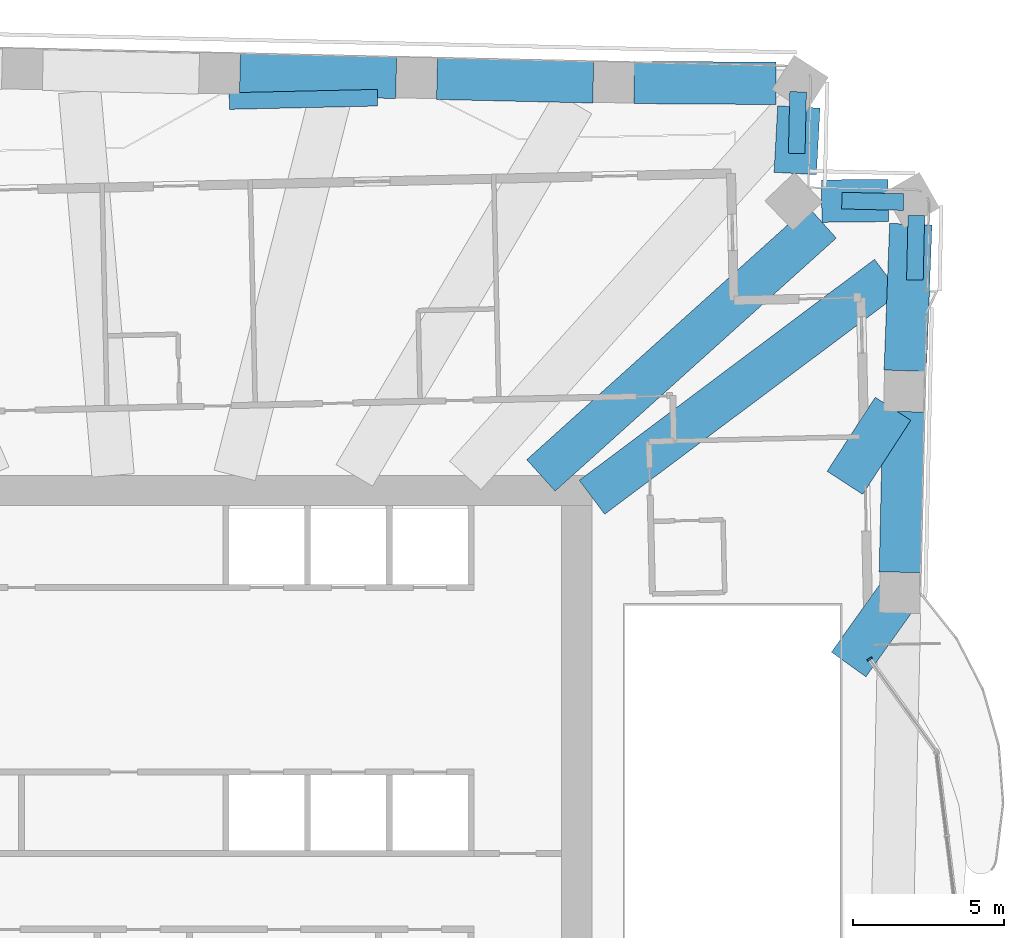
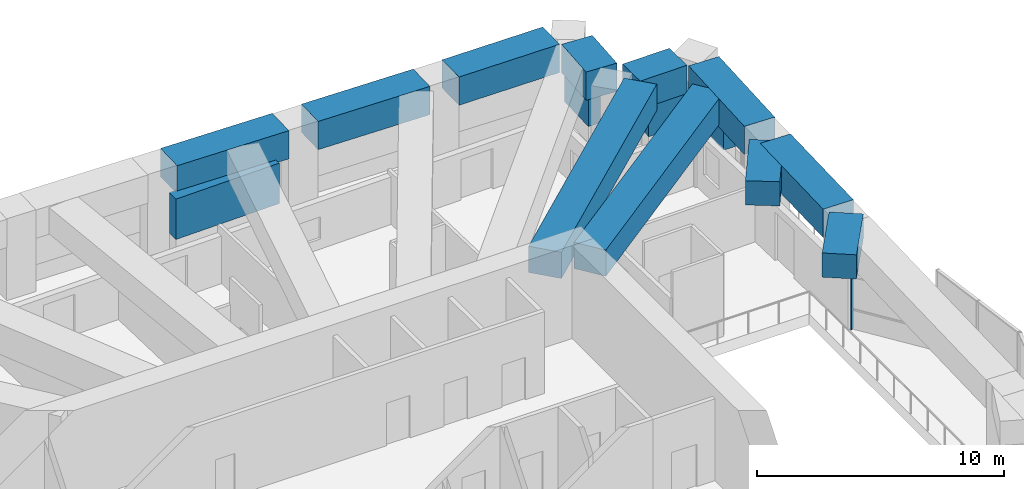
# One storey, part 7 of 21: 11 beams, 5 members, 1 element without a shape of its own.
"""IFC4 building model written with IfcOpenShell, lengths in metres."""

from ifc_helpers import new_model, si_unit, direction, frame, origin, origin_2d, place, context, subcontext, project, spatial, rectangle, extrude, material, material_profile, profile_set, type_object, element, aggregate, save


model = new_model("IFC4")

# Units and contexts
model_context = context("Model", 3, precision=1e-05, world=origin(), true_north=direction((0.0, 1.0)))
body_context = subcontext(model_context, "Body", "Model", "MODEL_VIEW")
ifc_project = project(units=[si_unit("LENGTHUNIT", "METRE"), si_unit("AREAUNIT", "SQUARE_METRE"), si_unit("VOLUMEUNIT", "CUBIC_METRE"), si_unit("PLANEANGLEUNIT", "RADIAN"), si_unit("MASSUNIT", "GRAM", prefix="KILO")], contexts=[model_context])

# Site, building, storey
site_placement = place(None, origin())
site = spatial("IfcSite", under=ifc_project, at=site_placement, CompositionType="ELEMENT")
building_placement = place(site_placement, origin())
building = spatial("IfcBuilding", under=site, at=building_placement, Name="Mangrove Gate Tower", CompositionType="ELEMENT")
storey_placement = place(building_placement, frame((0.0, 0.0, 125.5)))
storey = spatial("IfcBuildingStorey", under=building, at=storey_placement, Name="L31", CompositionType="ELEMENT", Elevation=125.5)

# Members
ifc_material_1 = material(Name="Planting on aluminium trellis", Category="aluminium")
ifc_material_profile_1 = material_profile(ifc_material_1, rectangle(XDim=0.550048828125, YDim=2.0, at=origin_2d()))
ifc_profile_set_1 = profile_set([ifc_material_profile_1], Name="Planting on aluminium trellis")
member_type_1 = type_object("IfcMemberType", Name="Balcony greenery screen 550x2000", PredefinedType="USERDEFINED", material=ifc_profile_set_1)
member_1_placement = place(storey_placement, frame((2.81494140625, 24.172119140625, 1.800048828125), z_axis=(0.999744043306, 0.022624055212, 0.0), x_axis=(-0.022624055212, 0.999744043306, 0.0)))
element("IfcMember", 1, at=member_1_placement, inside=storey, type_object=member_type_1, Name="GREEN SCREEN L31 N0.1", ObjectType="PLANTING", PredefinedType="USERDEFINED", context=body_context, shape_type="SweptSolid", body=[
    extrude(rectangle(XDim=0.550048828125, YDim=2.0, at=origin_2d()), origin(), (0.0, 0.0, 1.0), 4.899169921875),
])
ifc_material_2 = material(Name="Planting on aluminium trellis", Category="aluminium")
ifc_material_profile_2 = material_profile(ifc_material_2, rectangle(XDim=0.550048828125, YDim=1.800048828125, at=origin_2d()))
ifc_profile_set_2 = profile_set([ifc_material_profile_2], Name="Planting on aluminium trellis")
member_type_2 = type_object("IfcMemberType", Name="Roof greenery screen 550x1800", PredefinedType="USERDEFINED", material=ifc_profile_set_2)
member_2_placement = place(storey_placement, frame((21.613037109375, 24.47900390625, 1.699951171875), z_axis=(-0.022645198192, -0.99974356462, 0.0), x_axis=(0.99974356462, -0.022645198192, 0.0)))
element("IfcMember", 2, at=member_2_placement, inside=storey, type_object=member_type_2, Name="GREEN SCREEN L31 T1.4.6", ObjectType="PLANTING", PredefinedType="USERDEFINED", context=body_context, shape_type="SweptSolid", body=[
    extrude(rectangle(XDim=0.550048828125, YDim=1.800048828125, at=origin_2d()), origin(), (0.0, 0.0, 1.0), 2.03759765625),
])
member_3_placement = place(storey_placement, frame((23.05908203125, 20.881103515625, 1.699951171875), z_axis=(0.99973253567, -0.023126978231, 0.0), x_axis=(0.023126978231, 0.99973253567, 0.0)))
element("IfcMember", 3, at=member_3_placement, inside=storey, type_object=member_type_2, Name="GREEN SCREEN L31 T1.4.9", ObjectType="PLANTING", PredefinedType="USERDEFINED", context=body_context, shape_type="SweptSolid", body=[
    extrude(rectangle(XDim=0.550048828125, YDim=1.800048828125, at=origin_2d()), origin(), (0.0, 0.0, 1.0), 2.037353515625),
])
member_4_placement = place(storey_placement, frame((25.52099609375, 20.389892578125, 1.699951171875), z_axis=(-0.022554956952, -0.9997456046, 0.0), x_axis=(0.9997456046, -0.022554956952, 0.0)))
element("IfcMember", 4, at=member_4_placement, inside=storey, type_object=member_type_2, Name="GREEN SCREEN L31 T1.5.6", ObjectType="PLANTING", PredefinedType="USERDEFINED", context=body_context, shape_type="SweptSolid", body=[
    extrude(rectangle(XDim=0.550048828125, YDim=1.800048828125, at=origin_2d()), origin(), (0.0, 0.0, 1.0), 2.13232421875),
])

# Curtain wall, member
ifc_material_3 = material(Name="Aluminium and glass curtain wall", Category="aluminium")
curtain_wall_type = type_object("IfcCurtainWallType", Name="Sky-lounge glazing wall", PredefinedType="NOTDEFINED", material=ifc_material_3)
curtain_wall_placement = place(storey_placement, origin())
curtain_wall = element("IfcCurtainWall", 5, at=curtain_wall_placement, inside=storey, type_object=curtain_wall_type, Name="Sky-lounge glazing E1f5", PredefinedType="NOTDEFINED")
ifc_material_4 = material(Name="Aluminium alloy 6063-T6", Category="aluminium")
ifc_material_profile_3 = material_profile(ifc_material_4, rectangle(XDim=0.06005859375, YDim=0.179931640625, at=origin_2d()))
ifc_profile_set_3 = profile_set([ifc_material_profile_3], Name="Aluminium alloy 6063-T6")
member_type_3 = type_object("IfcMemberType", Name="Sky-lounge glazing mullion 60x180", PredefinedType="MULLION", material=ifc_profile_set_3)
member_5_placement = place(storey_placement, frame((23.97802734375, 5.72802734375, 0.0), z_axis=(0.0, 0.0, 1.0), x_axis=(-0.583670260949, 0.811990779802, 0.0)))
member_5 = element("IfcMember", 6, at=member_5_placement, type_object=member_type_3, Name="CWK mullion 2", PredefinedType="MULLION", context=body_context, shape_type="SweptSolid", body=[
    extrude(rectangle(XDim=0.06005859375, YDim=0.179931640625, at=origin_2d()), origin(), (0.0, 0.0, 1.0), 2.64990234375),
])
aggregate(curtain_wall, [member_5])

# Beams
ifc_material_5 = material(Name="Concrete C70/85", Category="concrete")
ifc_material_profile_4 = material_profile(ifc_material_5, rectangle(XDim=1.39990234375, YDim=1.199951171875, at=origin_2d()))
ifc_profile_set_4 = profile_set([ifc_material_profile_4], Name="Concrete C70/85")
beam_type_1 = type_object("IfcBeamType", Name="Transfer girder RC 1400x1200 C70/85", PredefinedType="BEAM", material=ifc_profile_set_4)
beam_1_placement = place(storey_placement, frame((24.978271484375, 7.92431640625, 3.449951171875), z_axis=(-0.580976688886, -0.81392019693, 0.0), x_axis=(0.81392019693, -0.580976688886, 0.0)))
element("IfcBeam", 7, at=beam_1_placement, inside=storey, type_object=beam_type_1, Name="Transfer edge girder L31 15", PredefinedType="BEAM", context=body_context, shape_type="SweptSolid", body=[
    extrude(rectangle(XDim=1.39990234375, YDim=1.199951171875, at=origin_2d()), origin(), (0.0, 0.0, 1.0), 2.914794921875),
])
beam_2_placement = place(storey_placement, frame((24.751220703125, 14.002685546875, 3.449951171875), z_axis=(-0.545073577267, -0.838388212802, 0.0), x_axis=(0.838388212802, -0.545073577267, 0.0)))
element("IfcBeam", 8, at=beam_2_placement, inside=storey, type_object=beam_type_1, Name="Transfer edge girder L31 16", PredefinedType="BEAM", context=body_context, shape_type="SweptSolid", body=[
    extrude(rectangle(XDim=1.39990234375, YDim=1.199951171875, at=origin_2d()), origin(), (0.0, 0.0, 1.0), 2.919921875),
])
ifc_material_6 = material(Name="Concrete C70/85", Category="concrete")
ifc_material_profile_5 = material_profile(ifc_material_6, rectangle(XDim=1.39990234375, YDim=1.300048828125, at=origin_2d()))
ifc_profile_set_5 = profile_set([ifc_material_profile_5], Name="Concrete C70/85")
beam_type_2 = type_object("IfcBeamType", Name="Transfer girder RC 1400x1300 C70/85", PredefinedType="BEAM", material=ifc_profile_set_5)
beam_3_placement = place(storey_placement, frame((14.800048828125, 11.07666015625, 3.39990234375), z_axis=(0.800600559954, 0.599198417389, 0.0), x_axis=(-0.599198417389, 0.800600559954, 0.0)))
element("IfcBeam", 9, at=beam_3_placement, inside=storey, type_object=beam_type_2, Name="Transfer girder L31 17", PredefinedType="BEAM", context=body_context, shape_type="SweptSolid", body=[
    extrude(rectangle(XDim=1.39990234375, YDim=1.300048828125, at=origin_2d()), origin(), (0.0, 0.0, 1.0), 12.1875),
])
beam_4_placement = place(storey_placement, frame((13.11328125, 11.800048828125, 3.39990234375), z_axis=(0.743360161247, 0.668891374343, 0.0), x_axis=(-0.668891374343, 0.743360161247, 0.0)))
element("IfcBeam", 10, at=beam_4_placement, inside=storey, type_object=beam_type_2, Name="Transfer girder L31 18", PredefinedType="BEAM", context=body_context, shape_type="SweptSolid", body=[
    extrude(rectangle(XDim=1.39990234375, YDim=1.300048828125, at=origin_2d()), origin(), (0.0, 0.0, 1.0), 12.50390625),
])
ifc_material_7 = material(Name="Concrete C70/85", Category="concrete")
ifc_material_profile_6 = material_profile(ifc_material_7, rectangle(XDim=1.39990234375, YDim=1.39990234375, at=origin_2d()))
ifc_profile_set_6 = profile_set([ifc_material_profile_6], Name="Concrete C70/85")
beam_type_3 = type_object("IfcBeamType", Name="Transfer girder RC 1400x1400 C70/85", PredefinedType="BEAM", material=ifc_profile_set_6)
beam_5_placement = place(storey_placement, frame((24.993408203125, 8.59912109375, 3.35009765625), z_axis=(0.022659804799, 0.999743233659, 0.0), x_axis=(-0.999743233659, 0.022659804799, 0.0)))
element("IfcBeam", 11, at=beam_5_placement, inside=storey, type_object=beam_type_3, Name="Transfer ring girder L31 16", PredefinedType="BEAM", context=body_context, shape_type="SweptSolid", body=[
    extrude(rectangle(XDim=1.39990234375, YDim=1.39990234375, at=origin_2d()), origin(), (0.0, 0.0, 1.0), 5.311767578125),
])
beam_6_placement = place(storey_placement, frame((25.15478515625, 15.2587890625, 3.35009765625), z_axis=(0.037881748056, 0.999282228984, 0.0), x_axis=(-0.999282228984, 0.037881748056, 0.0)))
element("IfcBeam", 12, at=beam_6_placement, inside=storey, type_object=beam_type_3, Name="Transfer ring girder L31 17", PredefinedType="BEAM", context=body_context, shape_type="SweptSolid", body=[
    extrude(rectangle(XDim=1.39990234375, YDim=1.39990234375, at=origin_2d()), origin(), (0.0, 0.0, 1.0), 4.846435546875),
])
beam_7_placement = place(storey_placement, frame((24.59619140625, 20.8876953125, 3.35009765625), z_axis=(-0.999944627484, -0.010523400865, 0.0), x_axis=(0.010523400865, -0.999944627484, 0.0)))
element("IfcBeam", 13, at=beam_7_placement, inside=storey, type_object=beam_type_3, Name="Transfer ring girder L31 18", PredefinedType="BEAM", context=body_context, shape_type="SweptSolid", body=[
    extrude(rectangle(XDim=1.39990234375, YDim=1.39990234375, at=origin_2d()), origin(), (0.0, 0.0, 1.0), 2.203857421875),
])
beam_8_placement = place(storey_placement, frame((21.5185546875, 21.77880859375, 3.35009765625), z_axis=(0.054456450957, 0.998516146564, 0.0), x_axis=(-0.998516146564, 0.054456450957, 0.0)))
element("IfcBeam", 14, at=beam_8_placement, inside=storey, type_object=beam_type_3, Name="Transfer ring girder L31 19", PredefinedType="BEAM", context=body_context, shape_type="SweptSolid", body=[
    extrude(rectangle(XDim=1.39990234375, YDim=1.39990234375, at=origin_2d()), origin(), (0.0, 0.0, 1.0), 2.201171875),
])
beam_9_placement = place(storey_placement, frame((20.880859375, 24.758056640625, 3.35009765625), z_axis=(-0.999979817099, 0.006353376611, 0.0), x_axis=(-0.006353376611, -0.999979817099, 0.0)))
element("IfcBeam", 15, at=beam_9_placement, inside=storey, type_object=beam_type_3, Name="Transfer ring girder L31 20", PredefinedType="BEAM", context=body_context, shape_type="SweptSolid", body=[
    extrude(rectangle(XDim=1.39990234375, YDim=1.39990234375, at=origin_2d()), origin(), (0.0, 0.0, 1.0), 4.68798828125),
])
beam_10_placement = place(storey_placement, frame((14.8427734375, 24.8076171875, 3.35009765625), z_axis=(-0.999742542789, 0.022690265286, 0.0), x_axis=(-0.022690265286, -0.999742542789, 0.0)))
element("IfcBeam", 16, at=beam_10_placement, inside=storey, type_object=beam_type_3, Name="Transfer ring girder L31 21", PredefinedType="BEAM", context=body_context, shape_type="SweptSolid", body=[
    extrude(rectangle(XDim=1.39990234375, YDim=1.39990234375, at=origin_2d()), origin(), (0.0, 0.0, 1.0), 5.16455078125),
])
beam_11_placement = place(storey_placement, frame((8.329833984375, 24.95556640625, 3.35009765625), z_axis=(-0.999742640111, 0.0226859768, 0.0), x_axis=(-0.0226859768, -0.999742640111, 0.0)))
element("IfcBeam", 17, at=beam_11_placement, inside=storey, type_object=beam_type_3, Name="Transfer ring girder L31 22", PredefinedType="BEAM", context=body_context, shape_type="SweptSolid", body=[
    extrude(rectangle(XDim=1.39990234375, YDim=1.39990234375, at=origin_2d()), origin(), (0.0, 0.0, 1.0), 5.16552734375),
])

save(model, "model.ifc")
